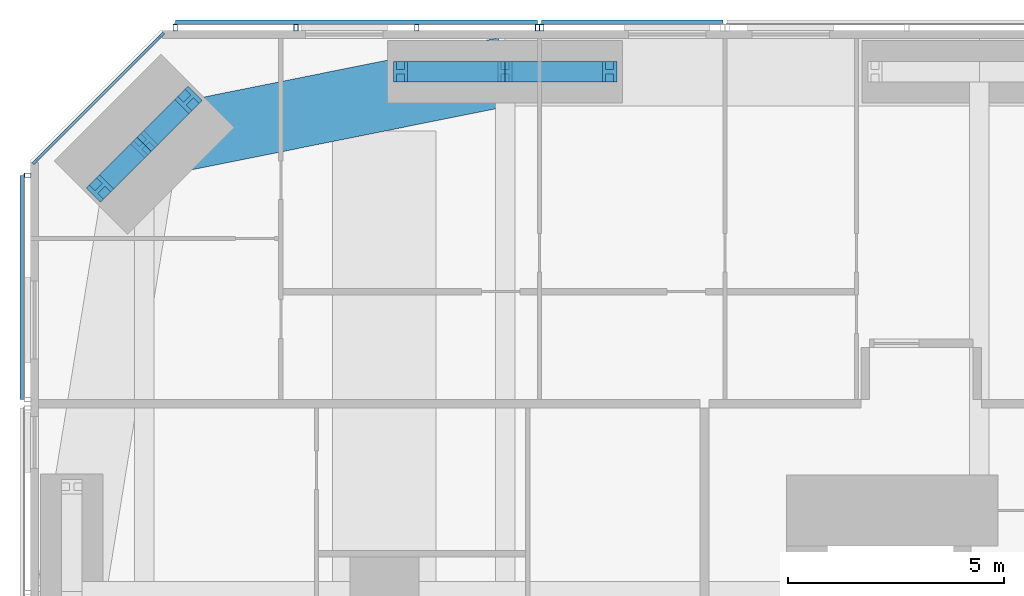
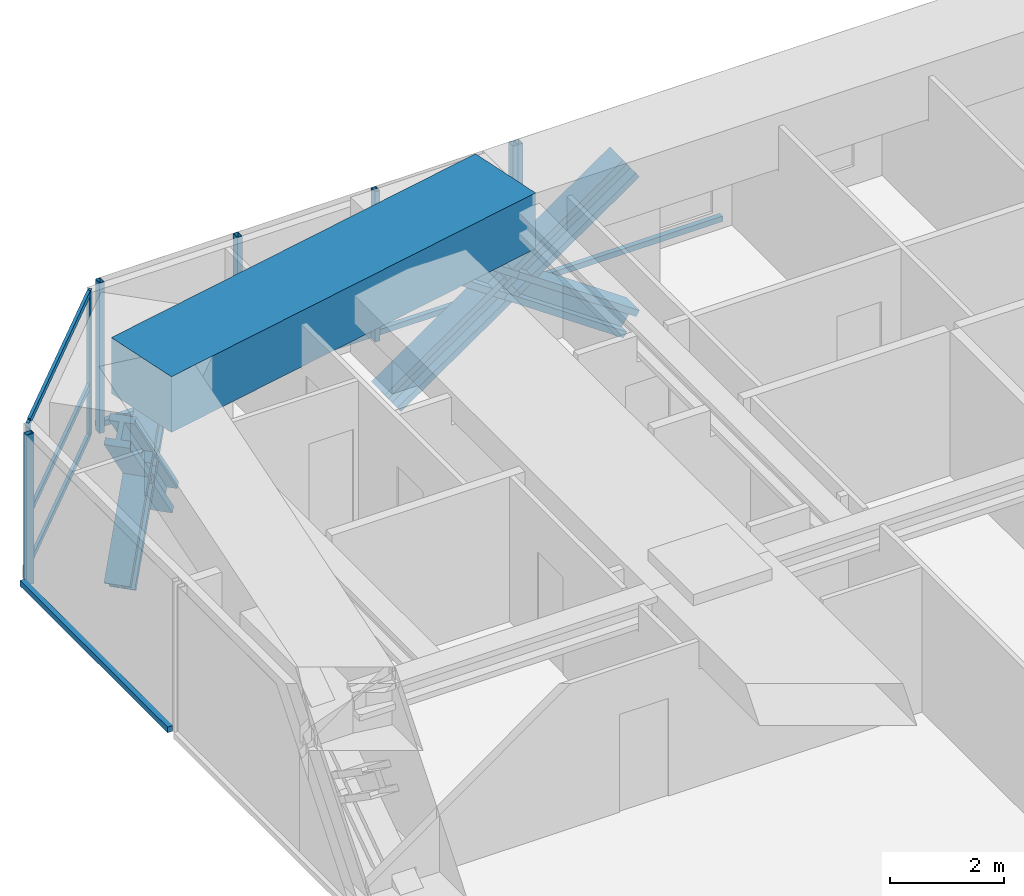
# One storey, part 11 of 23: 22 members, 1 beam, 4 elements without a shape of their own.
"""IFC4 building model written with IfcOpenShell, lengths in metres."""

from ifc_helpers import new_model, si_unit, direction, frame, origin, origin_2d, place, context, subcontext, project, spatial, rectangle, hollow_rectangle, i_section, extrude, material, material_profile, profile_set, type_object, element, aggregate, save


model = new_model("IFC4")

# Units and contexts
model_context = context("Model", 3, precision=1e-05, world=origin(), true_north=direction((0.0, 1.0)))
body_context = subcontext(model_context, "Body", "Model", "MODEL_VIEW")
ifc_project = project(units=[si_unit("LENGTHUNIT", "METRE"), si_unit("AREAUNIT", "SQUARE_METRE"), si_unit("VOLUMEUNIT", "CUBIC_METRE"), si_unit("PLANEANGLEUNIT", "RADIAN"), si_unit("MASSUNIT", "GRAM", prefix="KILO")], contexts=[model_context])

# Site, building, storey
site_placement = place(None, origin())
site = spatial("IfcSite", under=ifc_project, at=site_placement, CompositionType="ELEMENT")
building_placement = place(site_placement, origin())
building = spatial("IfcBuilding", under=site, at=building_placement, Name="Jalousie Tower", CompositionType="ELEMENT")
storey_placement = place(building_placement, frame((0.0, 0.0, 31.050048828125)))
storey = spatial("IfcBuildingStorey", under=building, at=storey_placement, Name="L07", CompositionType="ELEMENT", Elevation=31.050048828125)

# Curtain wall, members
ifc_material_1 = material(Name="Aluminium curtain wall", Category="aluminium")
curtain_wall_type_1 = type_object("IfcCurtainWallType", Name="CORNER WINDOW WALL", PredefinedType="USERDEFINED", material=ifc_material_1)
curtain_wall_1_placement = place(storey_placement, origin())
curtain_wall_1 = element("IfcCurtainWall", 1, at=curtain_wall_1_placement, inside=storey, type_object=curtain_wall_type_1, Name="Corner Window Wall L07 6", ObjectType="CORNER WINDOW WALL", PredefinedType="USERDEFINED")
ifc_material_2 = material(Name="Aluminium mullion", Category="aluminium")
ifc_material_profile_1 = material_profile(ifc_material_2, rectangle(XDim=0.06005859375, YDim=0.14990234375, at=origin_2d()), Name="MULLION 60x150")
ifc_profile_set_1 = profile_set([ifc_material_profile_1], Name="Aluminium mullion")
member_type_1 = type_object("IfcMemberType", Name="CORNER WINDOW WALL MULLION", PredefinedType="MULLION", material=ifc_profile_set_1)
member_1_placement = place(storey_placement, frame((5.030029296875, 37.891357421875, 0.0), z_axis=(0.0, 0.0, 1.0), x_axis=(0.707106781187, -0.707106781187, 0.0)))
member_1 = element("IfcMember", 2, at=member_1_placement, type_object=member_type_1, Name="CW-C mullion 1", PredefinedType="MULLION", context=body_context, shape_type="SweptSolid", body=[
    extrude(rectangle(XDim=0.06005859375, YDim=0.14990234375, at=origin_2d()), origin(), (0.0, 0.0, 1.0), 3.10986328125),
])
member_2_placement = place(storey_placement, frame((2.108642578125, 34.969970703125, 0.0), z_axis=(0.0, 0.0, 1.0), x_axis=(0.707106781187, -0.707106781187, 0.0)))
member_2 = element("IfcMember", 3, at=member_2_placement, type_object=member_type_1, Name="CW-C mullion 2", PredefinedType="MULLION", context=body_context, shape_type="SweptSolid", body=[
    extrude(rectangle(XDim=0.06005859375, YDim=0.14990234375, at=origin_2d()), origin(), (0.0, 0.0, 1.0), 3.10986328125),
])
ifc_material_3 = material(Name="Aluminium transom", Category="aluminium")
ifc_material_profile_2 = material_profile(ifc_material_3, rectangle(XDim=0.06005859375, YDim=0.1201171875, at=origin_2d()), Name="TRANSOM 60x120")
ifc_profile_set_2 = profile_set([ifc_material_profile_2], Name="Aluminium transom")
member_type_2 = type_object("IfcMemberType", Name="CORNER WINDOW WALL TRANSOM", PredefinedType="USERDEFINED", material=ifc_profile_set_2)
member_3_placement = place(storey_placement, frame((5.0087890625, 37.8701171875, 0.030029296875), z_axis=(-0.707106781187, -0.707106781187, 0.0), x_axis=(0.707106781187, -0.707106781187, 0.0)))
member_3 = element("IfcMember", 4, at=member_3_placement, type_object=member_type_2, Name="CW-C transom 1.1", ObjectType="TRANSOM", PredefinedType="USERDEFINED", context=body_context, shape_type="SweptSolid", body=[
    extrude(rectangle(XDim=0.06005859375, YDim=0.1201171875, at=origin_2d()), origin(), (0.0, 0.0, 1.0), 4.0712890625),
])
member_4_placement = place(storey_placement, frame((5.0087890625, 37.8701171875, 1.099853515625), z_axis=(-0.707106781187, -0.707106781187, 0.0), x_axis=(0.707106781187, -0.707106781187, 0.0)))
member_4 = element("IfcMember", 5, at=member_4_placement, type_object=member_type_2, Name="CW-C transom 1.2", ObjectType="TRANSOM", PredefinedType="USERDEFINED", context=body_context, shape_type="SweptSolid", body=[
    extrude(rectangle(XDim=0.06005859375, YDim=0.1201171875, at=origin_2d()), origin(), (0.0, 0.0, 1.0), 4.0712890625),
])
member_5_placement = place(storey_placement, frame((5.0087890625, 37.8701171875, 3.079833984375), z_axis=(-0.707106781187, -0.707106781187, 0.0), x_axis=(0.707106781187, -0.707106781187, 0.0)))
member_5 = element("IfcMember", 6, at=member_5_placement, type_object=member_type_2, Name="CW-C transom 1.3", ObjectType="TRANSOM", PredefinedType="USERDEFINED", context=body_context, shape_type="SweptSolid", body=[
    extrude(rectangle(XDim=0.06005859375, YDim=0.1201171875, at=origin_2d()), origin(), (0.0, 0.0, 1.0), 4.0712890625),
])
aggregate(curtain_wall_1, [member_1, member_2, member_3, member_4, member_5])

# Members
ifc_material_4 = material(Name="Steel ASTM A992 Grade 50", Category="steel")
ifc_material_profile_3 = material_profile(ifc_material_4, i_section(OverallWidth=0.472412109375, OverallDepth=0.5791015625, WebThickness=0.094970703125, FlangeThickness=0.1298828125, at=origin_2d()), Name="W14X808")
ifc_profile_set_3 = profile_set([ifc_material_profile_3], Name="Steel ASTM A992 Grade 50")
member_type_3 = type_object("IfcMemberType", Name="PERIMETER BRACE W14X808", PredefinedType="BRACE", material=ifc_profile_set_3)
for number, where, z_axis, x_axis, name in (
    (7, (10.574951171875, 37.050048828125, -0.60009765625), (0.822800062329, 0.0, 0.568330940062), (0.0, 1.0, 0.0), "Perimeter brace 11 L07 part 1"),
    (8, (13.0, 37.050048828125, 1.074951171875), (0.822800062329, 0.0, 0.568330940062), (0.0, 1.0, 0.0), "Perimeter brace 11 L07 part 2"),
    (9, (15.425048828125, 37.050048828125, -0.60009765625), (-0.822800062329, 0.0, 0.568330940062), (0.0, -1.0, 0.0), "Perimeter brace 11 L07 part 3"),
    (10, (13.0, 37.050048828125, 1.074951171875), (-0.822800062329, 0.0, 0.568330940062), (0.0, -1.0, 0.0), "Perimeter brace 11 L07 part 4"),
):
    element("IfcMember", number, at=place(storey_placement, frame(where, z_axis=z_axis, x_axis=x_axis)), inside=storey, type_object=member_type_3, Name=name, PredefinedType="BRACE", context=body_context, shape_type="SweptSolid", body=[
        extrude(i_section(OverallWidth=0.472412109375, OverallDepth=0.5791015625, WebThickness=0.094970703125, FlangeThickness=0.1298828125, at=origin_2d()), origin(), (0.0, 0.0, 1.0), 2.947265625),
    ])
for number, where, z_axis, x_axis, name in (
    (11, (5.65673828125, 36.393798828125, -0.60009765625), (-0.462839993852, -0.462729793854, 0.756082189957), (0.707022586774, -0.707190965575, 0.0), "Perimeter brace 12 L07 part 1"),
    (12, (4.63134765625, 35.36865234375, 1.074951171875), (-0.462729793854, -0.462839993852, 0.756082189957), (0.707190965575, -0.707022586774, 0.0), "Perimeter brace 12 L07 part 2"),
    (13, (3.606201171875, 34.34326171875, -0.60009765625), (0.462729793854, 0.462839993852, 0.756082189957), (-0.707190965575, 0.707022586774, 0.0), "Perimeter brace 12 L07 part 3"),
    (14, (4.63134765625, 35.36865234375, 1.074951171875), (0.462839993852, 0.462729793854, 0.756082189957), (-0.707022586774, 0.707190965575, 0.0), "Perimeter brace 12 L07 part 4"),
):
    element("IfcMember", number, at=place(storey_placement, frame(where, z_axis=z_axis, x_axis=x_axis)), inside=storey, type_object=member_type_3, Name=name, PredefinedType="BRACE", context=body_context, shape_type="SweptSolid", body=[
        extrude(i_section(OverallWidth=0.472412109375, OverallDepth=0.5791015625, WebThickness=0.094970703125, FlangeThickness=0.1298828125, at=origin_2d()), origin(), (0.0, 0.0, 1.0), 2.21533203125),
    ])

# Beam
ifc_material_5 = material(Name="Concrete f'c 40 MPa", Category="concrete")
ifc_material_profile_4 = material_profile(ifc_material_5, rectangle(XDim=1.60009765625, YDim=1.199951171875, at=origin_2d()), Name="RC 1600x1200")
ifc_profile_set_4 = profile_set([ifc_material_profile_4], Name="Concrete f'c 40 MPa")
beam_type = type_object("IfcBeamType", Name="RC BEAM 1600x1200", PredefinedType="BEAM", material=ifc_profile_set_4)
beam_placement = place(storey_placement, frame((13.0, 37.050048828125, 2.75), z_axis=(-0.980407585444, -0.196979609107, 0.0), x_axis=(0.196979609107, -0.980407585444, 0.0)))
element("IfcBeam", 15, at=beam_placement, inside=storey, type_object=beam_type, Name="Edge band beam 11-12 under L08", PredefinedType="BEAM", context=body_context, shape_type="SweptSolid", body=[
    extrude(rectangle(XDim=1.60009765625, YDim=1.199951171875, at=origin_2d()), origin(), (0.0, 0.0, 1.0), 8.535888671875),
])

# Curtain wall, member
ifc_material_6 = material(Name="Perforated aluminium sheet", Category="aluminium")
curtain_wall_type_2 = type_object("IfcCurtainWallType", Name="SOLAR SCREEN SS-1", PredefinedType="USERDEFINED", material=ifc_material_6)
curtain_wall_2_placement = place(storey_placement, origin())
curtain_wall_2 = element("IfcCurtainWall", 16, at=curtain_wall_2_placement, inside=storey, type_object=curtain_wall_type_2, Name="Solar screen L07", ObjectType="SOLAR SCREEN SS-1", PredefinedType="USERDEFINED")
ifc_material_7 = material(Name="Steel ASTM A500 Grade C", Category="steel")
ifc_material_profile_5 = material_profile(ifc_material_7, hollow_rectangle(XDim=0.1015625, YDim=0.15234375, WallThickness=0.00634765625, at=origin_2d()), Name="HSS6X4X1/4")
ifc_profile_set_5 = profile_set([ifc_material_profile_5], Name="Steel ASTM A500 Grade C")
member_type_4 = type_object("IfcMemberType", Name="SOLAR SCREEN SS-1 MULLION", PredefinedType="MULLION", material=ifc_profile_set_5)
member_6_placement = place(storey_placement, frame((13.85009765625, 38.0712890625, -0.1201171875), z_axis=(0.0, 0.0, 1.0), x_axis=(-1.0, 0.0, 0.0)))
member_6 = element("IfcMember", 17, at=member_6_placement, type_object=member_type_4, Name="SS1 post 2", PredefinedType="MULLION", context=body_context, shape_type="SweptSolid", body=[
    extrude(hollow_rectangle(XDim=0.1015625, YDim=0.15234375, WallThickness=0.00634765625, at=origin_2d()), origin(), (0.0, 0.0, 1.0), 3.22998046875),
])

# Curtain wall, members
curtain_wall_3_placement = place(storey_placement, origin())
curtain_wall_3 = element("IfcCurtainWall", 18, at=curtain_wall_3_placement, inside=storey, type_object=curtain_wall_type_2, Name="Solar screen L07", ObjectType="SOLAR SCREEN SS-1", PredefinedType="USERDEFINED")
member_7_placement = place(storey_placement, frame((13.75, 38.0712890625, -0.1201171875), z_axis=(0.0, 0.0, 1.0), x_axis=(-1.0, 0.0, 0.0)))
member_7 = element("IfcMember", 19, at=member_7_placement, type_object=member_type_4, Name="SS1 post 1", PredefinedType="MULLION", context=body_context, shape_type="SweptSolid", body=[
    extrude(hollow_rectangle(XDim=0.1015625, YDim=0.15234375, WallThickness=0.00634765625, at=origin_2d()), origin(), (0.0, 0.0, 1.0), 3.22998046875),
])
member_8_placement = place(storey_placement, frame((10.950439453125, 38.0712890625, -0.1201171875), z_axis=(0.0, 0.0, 1.0), x_axis=(-1.0, 0.0, 0.0)))
member_8 = element("IfcMember", 20, at=member_8_placement, type_object=member_type_4, Name="SS1 post 2", PredefinedType="MULLION", context=body_context, shape_type="SweptSolid", body=[
    extrude(hollow_rectangle(XDim=0.1015625, YDim=0.15234375, WallThickness=0.00634765625, at=origin_2d()), origin(), (0.0, 0.0, 1.0), 3.22998046875),
])
member_9_placement = place(storey_placement, frame((8.15087890625, 38.0712890625, -0.1201171875), z_axis=(0.0, 0.0, 1.0), x_axis=(-1.0, 0.0, 0.0)))
member_9 = element("IfcMember", 21, at=member_9_placement, type_object=member_type_4, Name="SS1 post 3", PredefinedType="MULLION", context=body_context, shape_type="SweptSolid", body=[
    extrude(hollow_rectangle(XDim=0.1015625, YDim=0.15234375, WallThickness=0.00634765625, at=origin_2d()), origin(), (0.0, 0.0, 1.0), 3.22998046875),
])
member_10_placement = place(storey_placement, frame((5.351318359375, 38.0712890625, -0.1201171875), z_axis=(0.0, 0.0, 1.0), x_axis=(-1.0, 0.0, 0.0)))
member_10 = element("IfcMember", 22, at=member_10_placement, type_object=member_type_4, Name="SS1 post 4", PredefinedType="MULLION", context=body_context, shape_type="SweptSolid", body=[
    extrude(hollow_rectangle(XDim=0.1015625, YDim=0.15234375, WallThickness=0.00634765625, at=origin_2d()), origin(), (0.0, 0.0, 1.0), 3.22998046875),
])

# Curtain wall, member
curtain_wall_4_placement = place(storey_placement, origin())
curtain_wall_4 = element("IfcCurtainWall", 23, at=curtain_wall_4_placement, inside=storey, type_object=curtain_wall_type_2, Name="Solar screen L07", ObjectType="SOLAR SCREEN SS-1", PredefinedType="USERDEFINED")
member_11_placement = place(storey_placement, frame((1.9287109375, 34.648681640625, -0.1201171875), z_axis=(0.0, 0.0, 1.0), x_axis=(0.0, -1.0, 0.0)))
member_11 = element("IfcMember", 24, at=member_11_placement, type_object=member_type_4, Name="SS1 post 1", PredefinedType="MULLION", context=body_context, shape_type="SweptSolid", body=[
    extrude(hollow_rectangle(XDim=0.1015625, YDim=0.15234375, WallThickness=0.00634765625, at=origin_2d()), origin(), (0.0, 0.0, 1.0), 3.22998046875),
])

# Member
ifc_material_8 = material(Name="Extruded aluminium screen rail", Category="aluminium")
ifc_material_profile_6 = material_profile(ifc_material_8, rectangle(XDim=0.1015625, YDim=0.1201171875, at=origin_2d()), Name="RAIL 102x120")
ifc_profile_set_6 = profile_set([ifc_material_profile_6], Name="Extruded aluminium screen rail")
member_type_5 = type_object("IfcMemberType", Name="SOLAR SCREEN SS-1 TRANSOM", PredefinedType="USERDEFINED", material=ifc_profile_set_6)
member_12_placement = place(storey_placement, frame((18.050048828125, 38.1982421875, -0.06005859375), z_axis=(-1.0, 0.0, 0.0), x_axis=(0.0, -1.0, 0.0)))
member_12 = element("IfcMember", 25, at=member_12_placement, type_object=member_type_5, Name="SS1 rail", ObjectType="TRANSOM", PredefinedType="USERDEFINED", context=body_context, shape_type="SweptSolid", body=[
    extrude(rectangle(XDim=0.1015625, YDim=0.1201171875, at=origin_2d()), origin(), (0.0, 0.0, 1.0), 4.199951171875),
])

aggregate(curtain_wall_2, [member_6, member_12])

member_13_placement = place(storey_placement, frame((13.75, 38.1982421875, -0.06005859375), z_axis=(-1.0, 0.0, 0.0), x_axis=(0.0, -1.0, 0.0)))
member_13 = element("IfcMember", 26, at=member_13_placement, type_object=member_type_5, Name="SS1 rail", ObjectType="TRANSOM", PredefinedType="USERDEFINED", context=body_context, shape_type="SweptSolid", body=[
    extrude(rectangle(XDim=0.1015625, YDim=0.1201171875, at=origin_2d()), origin(), (0.0, 0.0, 1.0), 8.398681640625),
])

aggregate(curtain_wall_3, [member_7, member_8, member_9, member_10, member_13])

member_14_placement = place(storey_placement, frame((1.8017578125, 34.648681640625, -0.06005859375), z_axis=(0.0, -1.0, 0.0), x_axis=(1.0, 0.0, 0.0)))
member_14 = element("IfcMember", 27, at=member_14_placement, type_object=member_type_5, Name="SS1 rail", ObjectType="TRANSOM", PredefinedType="USERDEFINED", context=body_context, shape_type="SweptSolid", body=[
    extrude(rectangle(XDim=0.1015625, YDim=0.1201171875, at=origin_2d()), origin(), (0.0, 0.0, 1.0), 5.19873046875),
])

aggregate(curtain_wall_4, [member_11, member_14])

save(model, "model.ifc")
